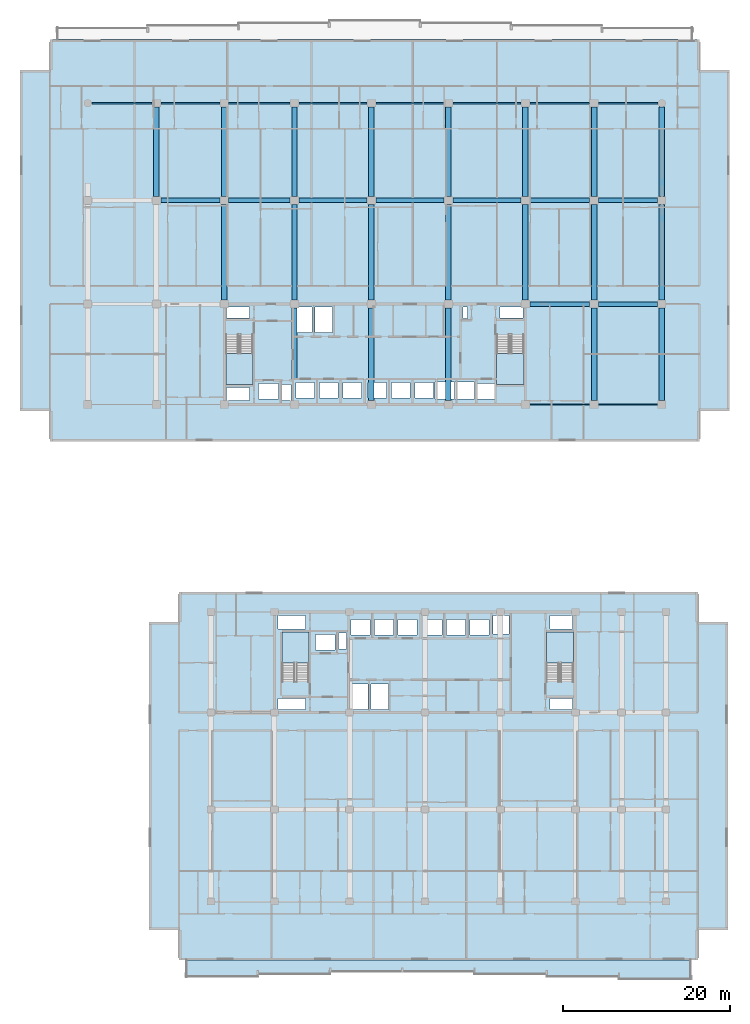
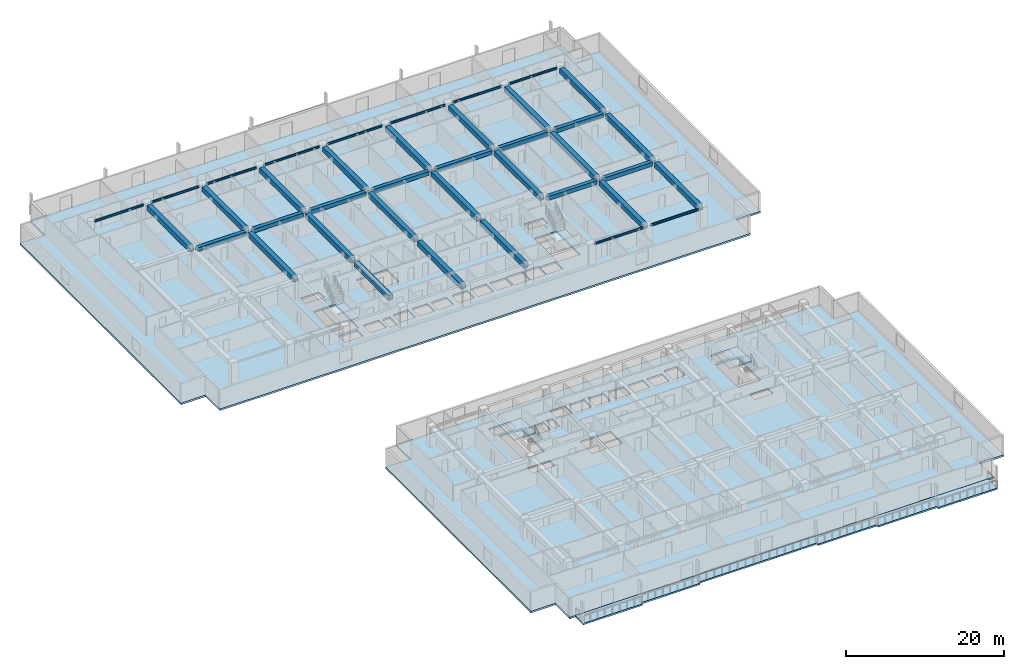
# One storey, part 2 of 23: 39 beams, 7 slabs, 4 elements without a shape of their own.
"""IFC4 building model written with IfcOpenShell, lengths in metres."""

from ifc_helpers import new_model, si_unit, direction, frame, origin, origin_2d, place, context, subcontext, project, spatial, polyline, rectangle, i_section, outline, extrude, material, layer, layer_set, material_profile, profile_set, type_object, element, aggregate, save


model = new_model("IFC4")

# Units and contexts
model_context = context("Model", 3, precision=1e-05, world=origin(), true_north=direction((0.0, 1.0)))
body_context = subcontext(model_context, "Body", "Model", "MODEL_VIEW")
ifc_project = project(units=[si_unit("LENGTHUNIT", "METRE"), si_unit("AREAUNIT", "SQUARE_METRE"), si_unit("VOLUMEUNIT", "CUBIC_METRE"), si_unit("PLANEANGLEUNIT", "RADIAN"), si_unit("MASSUNIT", "GRAM", prefix="KILO")], contexts=[model_context])

# Site, building, storey
site_placement = place(None, origin())
site = spatial("IfcSite", under=ifc_project, at=site_placement, CompositionType="ELEMENT")
building_placement = place(site_placement, origin())
building = spatial("IfcBuilding", under=site, at=building_placement, Name="Korimba Cascade Residences", CompositionType="ELEMENT")
storey_placement = place(building_placement, frame((0.0, 0.0, 30.5)))
storey = spatial("IfcBuildingStorey", under=building, at=storey_placement, Name="L07", CompositionType="ELEMENT", Elevation=30.5)

# Beams
ifc_material_1 = material(Name="Concrete C50/60", Category="concrete")
ifc_material_profile_1 = material_profile(ifc_material_1, rectangle(XDim=0.550048828125, YDim=0.60009765625, at=origin_2d()), Name="Concrete C50/60")
ifc_profile_set_1 = profile_set([ifc_material_profile_1], Name="Concrete C50/60")
beam_type_1 = type_object("IfcBeamType", Name="BM-RC-B600", PredefinedType="BEAM", material=ifc_profile_set_1)
beam_1_placement = place(storey_placement, frame((112.625, 67.199951171875, 2.669921875), z_axis=(1.0, 0.0, 0.0), x_axis=(0.0, 1.0, 0.0)))
element("IfcBeam", 1, at=beam_1_placement, inside=storey, type_object=beam_type_1, Name="L07 T1 E-W Girder Y2 Bay 7", PredefinedType="BEAM", context=body_context, shape_type="SweptSolid", body=[
    extrude(rectangle(XDim=0.550048828125, YDim=0.60009765625, at=origin_2d()), origin(), (0.0, 0.0, 1.0), 7.14990234375),
])
for number, where, z_axis, x_axis, name in (
    (2, (120.824951171875, 67.199951171875, 2.669921875), (1.0, 0.0, 0.0), (0.0, 1.0, 0.0), "L07 T1 E-W Girder Y2 Bay 8"),
    (3, (68.52490234375, 79.60009765625, 2.669921875), (1.0, 0.0, 0.0), (0.0, 1.0, 0.0), "L07 T1 E-W Girder Y3 Bay 2"),
):
    element("IfcBeam", number, at=place(storey_placement, frame(where, z_axis=z_axis, x_axis=x_axis)), inside=storey, type_object=beam_type_1, Name=name, PredefinedType="BEAM", context=body_context, shape_type="SweptSolid", body=[
        extrude(rectangle(XDim=0.550048828125, YDim=0.60009765625, at=origin_2d()), origin(), (0.0, 0.0, 1.0), 7.050048828125),
    ])
beam_2_placement = place(storey_placement, frame((76.625, 79.60009765625, 2.669921875), z_axis=(1.0, 0.0, 0.0), x_axis=(0.0, 1.0, 0.0)))
element("IfcBeam", 4, at=beam_2_placement, inside=storey, type_object=beam_type_1, Name="L07 T1 E-W Girder Y3 Bay 3", PredefinedType="BEAM", context=body_context, shape_type="SweptSolid", body=[
    extrude(rectangle(XDim=0.550048828125, YDim=0.60009765625, at=origin_2d()), origin(), (0.0, 0.0, 1.0), 7.35009765625),
])
beam_3_placement = place(storey_placement, frame((85.02490234375, 79.60009765625, 2.669921875), z_axis=(1.0, 0.0, 0.0), x_axis=(0.0, 1.0, 0.0)))
element("IfcBeam", 5, at=beam_3_placement, inside=storey, type_object=beam_type_1, Name="L07 T1 E-W Girder Y3 Bay 4", PredefinedType="BEAM", context=body_context, shape_type="SweptSolid", body=[
    extrude(rectangle(XDim=0.550048828125, YDim=0.60009765625, at=origin_2d()), origin(), (0.0, 0.0, 1.0), 8.150146484375),
])
for number, where, z_axis, x_axis, name in (
    (6, (94.22509765625, 79.60009765625, 2.669921875), (1.0, 0.0, 0.0), (0.0, 1.0, 0.0), "L07 T1 E-W Girder Y3 Bay 5"),
    (7, (103.425048828125, 79.60009765625, 2.669921875), (1.0, 0.0, 0.0), (0.0, 1.0, 0.0), "L07 T1 E-W Girder Y3 Bay 6"),
):
    element("IfcBeam", number, at=place(storey_placement, frame(where, z_axis=z_axis, x_axis=x_axis)), inside=storey, type_object=beam_type_1, Name=name, PredefinedType="BEAM", context=body_context, shape_type="SweptSolid", body=[
        extrude(rectangle(XDim=0.550048828125, YDim=0.60009765625, at=origin_2d()), origin(), (0.0, 0.0, 1.0), 8.14990234375),
    ])
beam_4_placement = place(storey_placement, frame((112.625, 79.60009765625, 2.669921875), z_axis=(1.0, 0.0, 0.0), x_axis=(0.0, 1.0, 0.0)))
element("IfcBeam", 8, at=beam_4_placement, inside=storey, type_object=beam_type_1, Name="L07 T1 E-W Girder Y3 Bay 7", PredefinedType="BEAM", context=body_context, shape_type="SweptSolid", body=[
    extrude(rectangle(XDim=0.550048828125, YDim=0.60009765625, at=origin_2d()), origin(), (0.0, 0.0, 1.0), 7.14990234375),
])
beam_5_placement = place(storey_placement, frame((120.824951171875, 79.60009765625, 2.669921875), z_axis=(1.0, 0.0, 0.0), x_axis=(0.0, 1.0, 0.0)))
element("IfcBeam", 9, at=beam_5_placement, inside=storey, type_object=beam_type_1, Name="L07 T1 E-W Girder Y3 Bay 8", PredefinedType="BEAM", context=body_context, shape_type="SweptSolid", body=[
    extrude(rectangle(XDim=0.550048828125, YDim=0.60009765625, at=origin_2d()), origin(), (0.0, 0.0, 1.0), 7.050048828125),
])
ifc_material_profile_2 = material_profile(ifc_material_1, rectangle(XDim=0.64990234375, YDim=0.75, at=origin_2d()), Name="Concrete C50/60")
ifc_profile_set_2 = profile_set([ifc_material_profile_2], Name="Concrete C50/60")
beam_type_2 = type_object("IfcBeamType", Name="BM-RC-G750", PredefinedType="BEAM", material=ifc_profile_set_2)
beam_6_placement = place(storey_placement, frame((68.0, 80.074951171875, 2.594970703125), z_axis=(0.0, 1.0, 0.0), x_axis=(-1.0, 0.0, 0.0)))
element("IfcBeam", 10, at=beam_6_placement, inside=storey, type_object=beam_type_2, Name="L07 T1 N-S Girder X2 Seg 3", PredefinedType="BEAM", context=body_context, shape_type="SweptSolid", body=[
    extrude(rectangle(XDim=0.64990234375, YDim=0.75, at=origin_2d()), origin(), (0.0, 0.0, 1.0), 10.650146484375),
])
beam_7_placement = place(storey_placement, frame((76.10009765625, 67.675048828125, 2.594970703125), z_axis=(0.0, 1.0, 0.0), x_axis=(-1.0, 0.0, 0.0)))
element("IfcBeam", 11, at=beam_7_placement, inside=storey, type_object=beam_type_2, Name="L07 T1 N-S Girder X3 Seg 2", PredefinedType="BEAM", context=body_context, shape_type="SweptSolid", body=[
    extrude(rectangle(XDim=0.64990234375, YDim=0.75, at=origin_2d()), origin(), (0.0, 0.0, 1.0), 11.449951171875),
])
beam_8_placement = place(storey_placement, frame((76.10009765625, 80.074951171875, 2.594970703125), z_axis=(0.0, 1.0, 0.0), x_axis=(-1.0, 0.0, 0.0)))
element("IfcBeam", 12, at=beam_8_placement, inside=storey, type_object=beam_type_2, Name="L07 T1 N-S Girder X3 Seg 3", PredefinedType="BEAM", context=body_context, shape_type="SweptSolid", body=[
    extrude(rectangle(XDim=0.64990234375, YDim=0.75, at=origin_2d()), origin(), (0.0, 0.0, 1.0), 10.650146484375),
])
beam_9_placement = place(storey_placement, frame((84.5, 58.159912109375, 2.594970703125), z_axis=(0.0, 1.0, 0.0), x_axis=(-1.0, 0.0, 0.0)))
element("IfcBeam", 13, at=beam_9_placement, inside=storey, type_object=beam_type_2, Name="L07 T1 N-S Girder X4 Seg 1", PredefinedType="BEAM", context=body_context, shape_type="SweptSolid", body=[
    extrude(rectangle(XDim=0.64990234375, YDim=0.75, at=origin_2d()), origin(), (0.0, 0.0, 1.0), 8.565185546875),
])
beam_10_placement = place(storey_placement, frame((84.5, 67.675048828125, 2.594970703125), z_axis=(0.0, 1.0, 0.0), x_axis=(-1.0, 0.0, 0.0)))
element("IfcBeam", 14, at=beam_10_placement, inside=storey, type_object=beam_type_2, Name="L07 T1 N-S Girder X4 Seg 2", PredefinedType="BEAM", context=body_context, shape_type="SweptSolid", body=[
    extrude(rectangle(XDim=0.64990234375, YDim=0.75, at=origin_2d()), origin(), (0.0, 0.0, 1.0), 11.449951171875),
])
beam_11_placement = place(storey_placement, frame((84.5, 80.074951171875, 2.594970703125), z_axis=(0.0, 1.0, 0.0), x_axis=(-1.0, 0.0, 0.0)))
element("IfcBeam", 15, at=beam_11_placement, inside=storey, type_object=beam_type_2, Name="L07 T1 N-S Girder X4 Seg 3", PredefinedType="BEAM", context=body_context, shape_type="SweptSolid", body=[
    extrude(rectangle(XDim=0.64990234375, YDim=0.75, at=origin_2d()), origin(), (0.0, 0.0, 1.0), 10.650146484375),
])
beam_12_placement = place(storey_placement, frame((93.699951171875, 55.675048828125, 2.594970703125), z_axis=(0.0, 1.0, 0.0), x_axis=(-1.0, 0.0, 0.0)))
element("IfcBeam", 16, at=beam_12_placement, inside=storey, type_object=beam_type_2, Name="L07 T1 N-S Girder X5 Seg 1", PredefinedType="BEAM", context=body_context, shape_type="SweptSolid", body=[
    extrude(rectangle(XDim=0.64990234375, YDim=0.75, at=origin_2d()), origin(), (0.0, 0.0, 1.0), 11.050048828125),
])
beam_13_placement = place(storey_placement, frame((93.699951171875, 67.675048828125, 2.594970703125), z_axis=(0.0, 1.0, 0.0), x_axis=(-1.0, 0.0, 0.0)))
element("IfcBeam", 17, at=beam_13_placement, inside=storey, type_object=beam_type_2, Name="L07 T1 N-S Girder X5 Seg 2", PredefinedType="BEAM", context=body_context, shape_type="SweptSolid", body=[
    extrude(rectangle(XDim=0.64990234375, YDim=0.75, at=origin_2d()), origin(), (0.0, 0.0, 1.0), 11.449951171875),
])
beam_14_placement = place(storey_placement, frame((93.699951171875, 80.074951171875, 2.594970703125), z_axis=(0.0, 1.0, 0.0), x_axis=(-1.0, 0.0, 0.0)))
element("IfcBeam", 18, at=beam_14_placement, inside=storey, type_object=beam_type_2, Name="L07 T1 N-S Girder X5 Seg 3", PredefinedType="BEAM", context=body_context, shape_type="SweptSolid", body=[
    extrude(rectangle(XDim=0.64990234375, YDim=0.75, at=origin_2d()), origin(), (0.0, 0.0, 1.0), 10.650146484375),
])
beam_15_placement = place(storey_placement, frame((102.89990234375, 55.675048828125, 2.594970703125), z_axis=(0.0, 1.0, 0.0), x_axis=(-1.0, 0.0, 0.0)))
element("IfcBeam", 19, at=beam_15_placement, inside=storey, type_object=beam_type_2, Name="L07 T1 N-S Girder X6 Seg 1", PredefinedType="BEAM", context=body_context, shape_type="SweptSolid", body=[
    extrude(rectangle(XDim=0.64990234375, YDim=0.75, at=origin_2d()), origin(), (0.0, 0.0, 1.0), 11.050048828125),
])
beam_16_placement = place(storey_placement, frame((102.89990234375, 67.675048828125, 2.594970703125), z_axis=(0.0, 1.0, 0.0), x_axis=(-1.0, 0.0, 0.0)))
element("IfcBeam", 20, at=beam_16_placement, inside=storey, type_object=beam_type_2, Name="L07 T1 N-S Girder X6 Seg 2", PredefinedType="BEAM", context=body_context, shape_type="SweptSolid", body=[
    extrude(rectangle(XDim=0.64990234375, YDim=0.75, at=origin_2d()), origin(), (0.0, 0.0, 1.0), 11.449951171875),
])
beam_17_placement = place(storey_placement, frame((102.89990234375, 80.074951171875, 2.594970703125), z_axis=(0.0, 1.0, 0.0), x_axis=(-1.0, 0.0, 0.0)))
element("IfcBeam", 21, at=beam_17_placement, inside=storey, type_object=beam_type_2, Name="L07 T1 N-S Girder X6 Seg 3", PredefinedType="BEAM", context=body_context, shape_type="SweptSolid", body=[
    extrude(rectangle(XDim=0.64990234375, YDim=0.75, at=origin_2d()), origin(), (0.0, 0.0, 1.0), 10.650146484375),
])
beam_18_placement = place(storey_placement, frame((112.10009765625, 67.675048828125, 2.594970703125), z_axis=(0.0, 1.0, 0.0), x_axis=(-1.0, 0.0, 0.0)))
element("IfcBeam", 22, at=beam_18_placement, inside=storey, type_object=beam_type_2, Name="L07 T1 N-S Girder X7 Seg 2", PredefinedType="BEAM", context=body_context, shape_type="SweptSolid", body=[
    extrude(rectangle(XDim=0.64990234375, YDim=0.75, at=origin_2d()), origin(), (0.0, 0.0, 1.0), 11.449951171875),
])
beam_19_placement = place(storey_placement, frame((112.10009765625, 80.074951171875, 2.594970703125), z_axis=(0.0, 1.0, 0.0), x_axis=(-1.0, 0.0, 0.0)))
element("IfcBeam", 23, at=beam_19_placement, inside=storey, type_object=beam_type_2, Name="L07 T1 N-S Girder X7 Seg 3", PredefinedType="BEAM", context=body_context, shape_type="SweptSolid", body=[
    extrude(rectangle(XDim=0.64990234375, YDim=0.75, at=origin_2d()), origin(), (0.0, 0.0, 1.0), 10.650146484375),
])
beam_20_placement = place(storey_placement, frame((120.300048828125, 55.675048828125, 2.594970703125), z_axis=(0.0, 1.0, 0.0), x_axis=(-1.0, 0.0, 0.0)))
element("IfcBeam", 24, at=beam_20_placement, inside=storey, type_object=beam_type_2, Name="L07 T1 N-S Girder X8 Seg 1", PredefinedType="BEAM", context=body_context, shape_type="SweptSolid", body=[
    extrude(rectangle(XDim=0.64990234375, YDim=0.75, at=origin_2d()), origin(), (0.0, 0.0, 1.0), 11.050048828125),
])
beam_21_placement = place(storey_placement, frame((120.300048828125, 67.675048828125, 2.594970703125), z_axis=(0.0, 1.0, 0.0), x_axis=(-1.0, 0.0, 0.0)))
element("IfcBeam", 25, at=beam_21_placement, inside=storey, type_object=beam_type_2, Name="L07 T1 N-S Girder X8 Seg 2", PredefinedType="BEAM", context=body_context, shape_type="SweptSolid", body=[
    extrude(rectangle(XDim=0.64990234375, YDim=0.75, at=origin_2d()), origin(), (0.0, 0.0, 1.0), 11.449951171875),
])
beam_22_placement = place(storey_placement, frame((120.300048828125, 80.074951171875, 2.594970703125), z_axis=(0.0, 1.0, 0.0), x_axis=(-1.0, 0.0, 0.0)))
element("IfcBeam", 26, at=beam_22_placement, inside=storey, type_object=beam_type_2, Name="L07 T1 N-S Girder X8 Seg 3", PredefinedType="BEAM", context=body_context, shape_type="SweptSolid", body=[
    extrude(rectangle(XDim=0.64990234375, YDim=0.75, at=origin_2d()), origin(), (0.0, 0.0, 1.0), 10.650146484375),
])
beam_23_placement = place(storey_placement, frame((128.39990234375, 55.675048828125, 2.594970703125), z_axis=(0.0, 1.0, 0.0), x_axis=(-1.0, 0.0, 0.0)))
element("IfcBeam", 27, at=beam_23_placement, inside=storey, type_object=beam_type_2, Name="L07 T1 N-S Girder X9 Seg 1", PredefinedType="BEAM", context=body_context, shape_type="SweptSolid", body=[
    extrude(rectangle(XDim=0.64990234375, YDim=0.75, at=origin_2d()), origin(), (0.0, 0.0, 1.0), 11.050048828125),
])
beam_24_placement = place(storey_placement, frame((128.39990234375, 67.675048828125, 2.594970703125), z_axis=(0.0, 1.0, 0.0), x_axis=(-1.0, 0.0, 0.0)))
element("IfcBeam", 28, at=beam_24_placement, inside=storey, type_object=beam_type_2, Name="L07 T1 N-S Girder X9 Seg 2", PredefinedType="BEAM", context=body_context, shape_type="SweptSolid", body=[
    extrude(rectangle(XDim=0.64990234375, YDim=0.75, at=origin_2d()), origin(), (0.0, 0.0, 1.0), 11.449951171875),
])
beam_25_placement = place(storey_placement, frame((128.39990234375, 80.074951171875, 2.594970703125), z_axis=(0.0, 1.0, 0.0), x_axis=(-1.0, 0.0, 0.0)))
element("IfcBeam", 29, at=beam_25_placement, inside=storey, type_object=beam_type_2, Name="L07 T1 N-S Girder X9 Seg 3", PredefinedType="BEAM", context=body_context, shape_type="SweptSolid", body=[
    extrude(rectangle(XDim=0.64990234375, YDim=0.75, at=origin_2d()), origin(), (0.0, 0.0, 1.0), 10.650146484375),
])
ifc_material_2 = material(Name="Steel S355", Category="steel")
ifc_material_profile_3 = material_profile(ifc_material_2, i_section(OverallWidth=0.165771484375, OverallDepth=0.306640625, WebThickness=0.006591796875, FlangeThickness=0.01171875, FilletRadius=0.0087890625, at=origin_2d()), Name="Steel S355")
ifc_profile_set_3 = profile_set([ifc_material_profile_3], Name="Steel S355")
beam_type_3 = type_object("IfcBeamType", Name="BM-STL-UB305", PredefinedType="SPANDREL", material=ifc_profile_set_3)
beam_26_placement = place(storey_placement, frame((112.625, 55.199951171875, 2.816650390625), z_axis=(1.0, 0.0, 0.0), x_axis=(0.0, 1.0, 0.0)))
element("IfcBeam", 30, at=beam_26_placement, inside=storey, type_object=beam_type_3, Name="L07 T1 E-W Girder Y1 Bay 7", PredefinedType="SPANDREL", context=body_context, shape_type="SweptSolid", body=[
    extrude(i_section(OverallWidth=0.165771484375, OverallDepth=0.306640625, WebThickness=0.006591796875, FlangeThickness=0.01171875, FilletRadius=0.0087890625, at=origin_2d()), origin(), (0.0, 0.0, 1.0), 7.14990234375),
])
beam_27_placement = place(storey_placement, frame((120.824951171875, 55.199951171875, 2.816650390625), z_axis=(1.0, 0.0, 0.0), x_axis=(0.0, 1.0, 0.0)))
element("IfcBeam", 31, at=beam_27_placement, inside=storey, type_object=beam_type_3, Name="L07 T1 E-W Girder Y1 Bay 8", PredefinedType="SPANDREL", context=body_context, shape_type="SweptSolid", body=[
    extrude(i_section(OverallWidth=0.165771484375, OverallDepth=0.306640625, WebThickness=0.006591796875, FlangeThickness=0.01171875, FilletRadius=0.0087890625, at=origin_2d()), origin(), (0.0, 0.0, 1.0), 7.050048828125),
])
beam_28_placement = place(storey_placement, frame((60.27490234375, 91.199951171875, 2.816650390625), z_axis=(1.0, 0.0, 0.0), x_axis=(0.0, 1.0, 0.0)))
element("IfcBeam", 32, at=beam_28_placement, inside=storey, type_object=beam_type_3, Name="L07 T1 E-W Girder Y4 Bay 1", PredefinedType="SPANDREL", context=body_context, shape_type="SweptSolid", body=[
    extrude(i_section(OverallWidth=0.165771484375, OverallDepth=0.306640625, WebThickness=0.006591796875, FlangeThickness=0.01171875, FilletRadius=0.0087890625, at=origin_2d()), origin(), (0.0, 0.0, 1.0), 7.2001953125),
])
beam_29_placement = place(storey_placement, frame((68.52490234375, 91.199951171875, 2.816650390625), z_axis=(1.0, 0.0, 0.0), x_axis=(0.0, 1.0, 0.0)))
element("IfcBeam", 33, at=beam_29_placement, inside=storey, type_object=beam_type_3, Name="L07 T1 E-W Girder Y4 Bay 2", PredefinedType="SPANDREL", context=body_context, shape_type="SweptSolid", body=[
    extrude(i_section(OverallWidth=0.165771484375, OverallDepth=0.306640625, WebThickness=0.006591796875, FlangeThickness=0.01171875, FilletRadius=0.0087890625, at=origin_2d()), origin(), (0.0, 0.0, 1.0), 7.050048828125),
])
beam_30_placement = place(storey_placement, frame((76.625, 91.199951171875, 2.816650390625), z_axis=(1.0, 0.0, 0.0), x_axis=(0.0, 1.0, 0.0)))
element("IfcBeam", 34, at=beam_30_placement, inside=storey, type_object=beam_type_3, Name="L07 T1 E-W Girder Y4 Bay 3", PredefinedType="SPANDREL", context=body_context, shape_type="SweptSolid", body=[
    extrude(i_section(OverallWidth=0.165771484375, OverallDepth=0.306640625, WebThickness=0.006591796875, FlangeThickness=0.01171875, FilletRadius=0.0087890625, at=origin_2d()), origin(), (0.0, 0.0, 1.0), 7.35009765625),
])
beam_31_placement = place(storey_placement, frame((85.02490234375, 91.199951171875, 2.816650390625), z_axis=(1.0, 0.0, 0.0), x_axis=(0.0, 1.0, 0.0)))
element("IfcBeam", 35, at=beam_31_placement, inside=storey, type_object=beam_type_3, Name="L07 T1 E-W Girder Y4 Bay 4", PredefinedType="SPANDREL", context=body_context, shape_type="SweptSolid", body=[
    extrude(i_section(OverallWidth=0.165771484375, OverallDepth=0.306640625, WebThickness=0.006591796875, FlangeThickness=0.01171875, FilletRadius=0.0087890625, at=origin_2d()), origin(), (0.0, 0.0, 1.0), 8.150146484375),
])
for number, where, z_axis, x_axis, name in (
    (36, (94.22509765625, 91.199951171875, 2.816650390625), (1.0, 0.0, 0.0), (0.0, 1.0, 0.0), "L07 T1 E-W Girder Y4 Bay 5"),
    (37, (103.425048828125, 91.199951171875, 2.816650390625), (1.0, 0.0, 0.0), (0.0, 1.0, 0.0), "L07 T1 E-W Girder Y4 Bay 6"),
):
    element("IfcBeam", number, at=place(storey_placement, frame(where, z_axis=z_axis, x_axis=x_axis)), inside=storey, type_object=beam_type_3, Name=name, PredefinedType="SPANDREL", context=body_context, shape_type="SweptSolid", body=[
        extrude(i_section(OverallWidth=0.165771484375, OverallDepth=0.306640625, WebThickness=0.006591796875, FlangeThickness=0.01171875, FilletRadius=0.0087890625, at=origin_2d()), origin(), (0.0, 0.0, 1.0), 8.14990234375),
    ])
beam_32_placement = place(storey_placement, frame((112.625, 91.199951171875, 2.816650390625), z_axis=(1.0, 0.0, 0.0), x_axis=(0.0, 1.0, 0.0)))
element("IfcBeam", 38, at=beam_32_placement, inside=storey, type_object=beam_type_3, Name="L07 T1 E-W Girder Y4 Bay 7", PredefinedType="SPANDREL", context=body_context, shape_type="SweptSolid", body=[
    extrude(i_section(OverallWidth=0.165771484375, OverallDepth=0.306640625, WebThickness=0.006591796875, FlangeThickness=0.01171875, FilletRadius=0.0087890625, at=origin_2d()), origin(), (0.0, 0.0, 1.0), 7.14990234375),
])
beam_33_placement = place(storey_placement, frame((120.824951171875, 91.199951171875, 2.816650390625), z_axis=(1.0, 0.0, 0.0), x_axis=(0.0, 1.0, 0.0)))
element("IfcBeam", 39, at=beam_33_placement, inside=storey, type_object=beam_type_3, Name="L07 T1 E-W Girder Y4 Bay 8", PredefinedType="SPANDREL", context=body_context, shape_type="SweptSolid", body=[
    extrude(i_section(OverallWidth=0.165771484375, OverallDepth=0.306640625, WebThickness=0.006591796875, FlangeThickness=0.01171875, FilletRadius=0.0087890625, at=origin_2d()), origin(), (0.0, 0.0, 1.0), 7.10009765625),
])

# Stair, slab
stair_type_1 = type_object("IfcStairType", Name="STR-W1-18R-1806", PredefinedType="HALF_TURN_STAIR", material=ifc_material_1)
stair_1_placement = place(storey_placement, origin())
stair_1 = element("IfcStair", 40, at=stair_1_placement, inside=storey, type_object=stair_type_1, Name="L07 Tower 1 West Fire Stair ST-W1", PredefinedType="HALF_TURN_STAIR")
ifc_layer_1 = layer(ifc_material_1, 0.199951171875)
ifc_layer_set_1 = layer_set([ifc_layer_1], Name="Concrete C50/60")
slab_type_1 = type_object("IfcSlabType", Name="SLB-LND-220", PredefinedType="LANDING", material=ifc_layer_set_1)
slab_1_placement = place(storey_placement, frame((0.0, 0.0, 1.425048828125)))
slab_1 = element("IfcSlab", 41, at=slab_1_placement, type_object=slab_type_1, Name="ST-W1 landing 1", PredefinedType="LANDING", context=body_context, shape_type="SweptSolid", body=[
    extrude(outline(polyline([(76.300048828125, 61.31005859375), (76.300048828125, 57.60009765625), (79.5400390625, 57.60009765625), (79.5400390625, 61.31005859375), (76.300048828125, 61.31005859375)])), origin(), (0.0, 0.0, 1.0), 0.199951171875),
])
aggregate(stair_1, [slab_1])

stair_type_2 = type_object("IfcStairType", Name="STR-W2-18R-1806", PredefinedType="HALF_TURN_STAIR", material=ifc_material_1)
stair_2_placement = place(storey_placement, origin())
stair_2 = element("IfcStair", 42, at=stair_2_placement, inside=storey, type_object=stair_type_2, Name="L07 Tower 1 East Fire Stair ST-W2", PredefinedType="HALF_TURN_STAIR")
slab_2_placement = place(storey_placement, frame((0.0, 0.0, 1.425048828125)))
slab_2 = element("IfcSlab", 43, at=slab_2_placement, type_object=slab_type_1, Name="ST-W2 landing 1", PredefinedType="LANDING", context=body_context, shape_type="SweptSolid", body=[
    extrude(outline(polyline([(108.659912109375, 61.31005859375), (108.659912109375, 57.60009765625), (111.89990234375, 57.60009765625), (111.89990234375, 61.31005859375), (108.659912109375, 61.31005859375)])), origin(), (0.0, 0.0, 1.0), 0.199951171875),
])
aggregate(stair_2, [slab_2])

stair_type_3 = type_object("IfcStairType", Name="STR-E1-18R-1806", PredefinedType="HALF_TURN_STAIR", material=ifc_material_1)
stair_3_placement = place(storey_placement, origin())
stair_3 = element("IfcStair", 44, at=stair_3_placement, inside=storey, type_object=stair_type_3, Name="L07 Tower 2 West Fire Stair ST-E1", PredefinedType="HALF_TURN_STAIR")
slab_3_placement = place(storey_placement, frame((0.0, 0.0, 1.425048828125)))
slab_3 = element("IfcSlab", 45, at=slab_3_placement, type_object=slab_type_1, Name="ST-E1 landing 1", PredefinedType="LANDING", context=body_context, shape_type="SweptSolid", body=[
    extrude(outline(polyline([(86.239990234375, 24.2900390625), (86.239990234375, 28.0), (83.0, 28.0), (83.0, 24.2900390625), (86.239990234375, 24.2900390625)])), origin(), (0.0, 0.0, 1.0), 0.199951171875),
])
aggregate(stair_3, [slab_3])

stair_type_4 = type_object("IfcStairType", Name="STR-E2-18R-1806", PredefinedType="HALF_TURN_STAIR", material=ifc_material_1)
stair_4_placement = place(storey_placement, origin())
stair_4 = element("IfcStair", 46, at=stair_4_placement, inside=storey, type_object=stair_type_4, Name="L07 Tower 2 East Fire Stair ST-E2", PredefinedType="HALF_TURN_STAIR")
slab_4_placement = place(storey_placement, frame((0.0, 0.0, 1.425048828125)))
slab_4 = element("IfcSlab", 47, at=slab_4_placement, type_object=slab_type_1, Name="ST-E2 landing 1", PredefinedType="LANDING", context=body_context, shape_type="SweptSolid", body=[
    extrude(outline(polyline([(117.840087890625, 24.2900390625), (117.840087890625, 28.0), (114.60009765625, 28.0), (114.60009765625, 24.2900390625), (117.840087890625, 24.2900390625)])), origin(), (0.0, 0.0, 1.0), 0.199951171875),
])
aggregate(stair_4, [slab_4])

# Slabs
ifc_material_3 = material(Name="Precast concrete C40/50", Category="concrete")
ifc_layer_2 = layer(ifc_material_3, 0.239990234375)
ifc_layer_set_2 = layer_set([ifc_layer_2], Name="Precast concrete C40/50")
slab_type_2 = type_object("IfcSlabType", Name="SLB-LOG-240", PredefinedType="FLOOR", material=ifc_layer_set_2)
slab_5_placement = place(storey_placement, frame((0.0, 0.0, -0.239990234375)))
element("IfcSlab", 48, at=slab_5_placement, inside=storey, type_object=slab_type_2, Name="L07 Tower 2 South Loggia Slab", PredefinedType="FLOOR", context=body_context, shape_type="SweptSolid", body=[
    extrude(outline(polyline([(71.5, -13.25), (80.128662109375, -13.25), (80.128662109375, -12.949951171875), (88.757080078125, -12.949951171875), (88.757080078125, -12.64990234375), (106.014404296875, -12.64990234375), (106.014404296875, -12.949951171875), (114.642822265625, -12.949951171875), (114.642822265625, -13.25), (123.271484375, -13.25), (123.271484375, -13.550048828125), (131.89990234375, -13.550048828125), (131.89990234375, -11.199951171875), (71.5, -11.199951171875), (71.5, -13.25)])), origin(), (0.0, 0.0, 1.0), 0.239990234375),
])
ifc_layer_3 = layer(ifc_material_1, 0.280029296875)
ifc_layer_set_3 = layer_set([ifc_layer_3], Name="Concrete C50/60")
slab_type_3 = type_object("IfcSlabType", Name="SLB-TYP-280", PredefinedType="FLOOR", material=ifc_layer_set_3)
slab_6_placement = place(storey_placement, frame((0.0, 0.0, -0.280029296875)))
element("IfcSlab", 49, at=slab_6_placement, inside=storey, type_object=slab_type_3, Name="L07 Tower 1 Floor Slab", PredefinedType="FLOOR", context=body_context, shape_type="SweptSolid", body=[
    extrude(outline(polyline([(55.300048828125, 50.800048828125), (132.89990234375, 50.800048828125), (132.89990234375, 54.39990234375), (136.5, 54.39990234375), (136.5, 95.199951171875), (132.89990234375, 95.199951171875), (132.89990234375, 98.800048828125), (55.300048828125, 98.800048828125), (55.300048828125, 95.199951171875), (51.699951171875, 95.199951171875), (51.699951171875, 54.39990234375), (55.300048828125, 54.39990234375), (55.300048828125, 50.800048828125)]), holes=[polyline([(76.300048828125, 63.514892578125), (76.300048828125, 57.60009765625), (79.5400390625, 57.60009765625), (79.5400390625, 63.514892578125), (76.300048828125, 63.514892578125)]), polyline([(108.659912109375, 63.514892578125), (108.659912109375, 57.60009765625), (111.89990234375, 57.60009765625), (111.89990234375, 63.514892578125), (108.659912109375, 63.514892578125)]), polyline([(80.22998046875, 55.8798828125), (82.570068359375, 55.8798828125), (82.570068359375, 57.719970703125), (80.22998046875, 57.719970703125), (80.22998046875, 55.8798828125)]), polyline([(106.080078125, 55.8798828125), (108.419921875, 55.8798828125), (108.419921875, 57.719970703125), (106.080078125, 57.719970703125), (106.080078125, 55.8798828125)]), polyline([(84.679931640625, 55.97998046875), (86.919921875, 55.97998046875), (86.919921875, 57.820068359375), (84.679931640625, 57.820068359375), (84.679931640625, 55.97998046875)]), polyline([(87.47998046875, 55.97998046875), (89.719970703125, 55.97998046875), (89.719970703125, 57.820068359375), (87.47998046875, 57.820068359375), (87.47998046875, 55.97998046875)]), polyline([(90.280029296875, 55.97998046875), (92.52001953125, 55.97998046875), (92.52001953125, 57.820068359375), (90.280029296875, 57.820068359375), (90.280029296875, 55.97998046875)]), polyline([(93.280029296875, 55.97998046875), (95.52001953125, 55.97998046875), (95.52001953125, 57.820068359375), (93.280029296875, 57.820068359375), (93.280029296875, 55.97998046875)]), polyline([(96.080078125, 55.97998046875), (98.320068359375, 55.97998046875), (98.320068359375, 57.820068359375), (96.080078125, 57.820068359375), (96.080078125, 55.97998046875)]), polyline([(98.8798828125, 55.97998046875), (101.1201171875, 55.97998046875), (101.1201171875, 57.820068359375), (98.8798828125, 57.820068359375), (98.8798828125, 55.97998046875)]), polyline([(101.304931640625, 55.8798828125), (103.594970703125, 55.8798828125), (103.594970703125, 57.919921875), (101.304931640625, 57.919921875), (101.304931640625, 55.8798828125)]), polyline([(103.705078125, 55.8798828125), (105.9951171875, 55.8798828125), (105.9951171875, 57.919921875), (103.705078125, 57.919921875), (103.705078125, 55.8798828125)]), polyline([(82.97998046875, 55.679931640625), (84.080078125, 55.679931640625), (84.080078125, 57.6201171875), (82.97998046875, 57.6201171875), (82.97998046875, 55.679931640625)]), polyline([(76.39990234375, 65.56005859375), (79.10009765625, 65.56005859375), (79.10009765625, 66.8798828125), (76.39990234375, 66.8798828125), (76.39990234375, 65.56005859375)]), polyline([(76.39990234375, 55.679931640625), (79.10009765625, 55.679931640625), (79.10009765625, 57.239990234375), (76.39990234375, 57.239990234375), (76.39990234375, 55.679931640625)]), polyline([(84.530029296875, 63.820068359375), (86.6201171875, 63.820068359375), (86.6201171875, 66.8798828125), (84.530029296875, 66.8798828125), (84.530029296875, 63.820068359375)]), polyline([(86.97998046875, 63.820068359375), (89.070068359375, 63.820068359375), (89.070068359375, 66.8798828125), (86.97998046875, 66.8798828125), (86.97998046875, 63.820068359375)]), polyline([(104.6201171875, 65.4599609375), (105.179931640625, 65.4599609375), (105.179931640625, 66.8798828125), (104.6201171875, 66.8798828125), (104.6201171875, 65.4599609375)]), polyline([(109.080078125, 65.56005859375), (111.800048828125, 65.56005859375), (111.800048828125, 66.8798828125), (109.080078125, 66.8798828125), (109.080078125, 65.56005859375)])]), origin(), (0.0, 0.0, 1.0), 0.280029296875),
])
slab_7_placement = place(storey_placement, frame((0.0, 0.0, -0.280029296875)))
element("IfcSlab", 50, at=slab_7_placement, inside=storey, type_object=slab_type_3, Name="L07 Tower 2 Floor Slab", PredefinedType="FLOOR", context=body_context, shape_type="SweptSolid", body=[
    extrude(outline(polyline([(70.699951171875, -11.199951171875), (132.699951171875, -11.199951171875), (132.699951171875, -7.60009765625), (136.300048828125, -7.60009765625), (136.300048828125, 29.199951171875), (132.699951171875, 29.199951171875), (132.699951171875, 32.800048828125), (70.699951171875, 32.800048828125), (70.699951171875, 29.199951171875), (67.10009765625, 29.199951171875), (67.10009765625, -7.60009765625), (70.699951171875, -7.60009765625), (70.699951171875, -11.199951171875)]), holes=[polyline([(86.239990234375, 22.0849609375), (86.239990234375, 28.0), (83.0, 28.0), (83.0, 22.0849609375), (86.239990234375, 22.0849609375)]), polyline([(117.840087890625, 22.0849609375), (117.840087890625, 28.0), (114.60009765625, 28.0), (114.60009765625, 22.0849609375), (117.840087890625, 22.0849609375)]), polyline([(87.030029296875, 25.8798828125), (89.3701171875, 25.8798828125), (89.3701171875, 27.719970703125), (87.030029296875, 27.719970703125), (87.030029296875, 25.8798828125)]), polyline([(91.280029296875, 27.679931640625), (93.52001953125, 27.679931640625), (93.52001953125, 29.52001953125), (91.280029296875, 29.52001953125), (91.280029296875, 27.679931640625)]), polyline([(94.080078125, 27.679931640625), (96.320068359375, 27.679931640625), (96.320068359375, 29.52001953125), (94.080078125, 29.52001953125), (94.080078125, 27.679931640625)]), polyline([(96.8798828125, 27.679931640625), (99.1201171875, 27.679931640625), (99.1201171875, 29.52001953125), (96.8798828125, 29.52001953125), (96.8798828125, 27.679931640625)]), polyline([(99.8798828125, 27.679931640625), (102.1201171875, 27.679931640625), (102.1201171875, 29.52001953125), (99.8798828125, 29.52001953125), (99.8798828125, 27.679931640625)]), polyline([(102.679931640625, 27.679931640625), (104.919921875, 27.679931640625), (104.919921875, 29.52001953125), (102.679931640625, 29.52001953125), (102.679931640625, 27.679931640625)]), polyline([(105.47998046875, 27.679931640625), (107.719970703125, 27.679931640625), (107.719970703125, 29.52001953125), (105.47998046875, 29.52001953125), (105.47998046875, 27.679931640625)]), polyline([(89.780029296875, 25.97998046875), (90.719970703125, 25.97998046875), (90.719970703125, 27.919921875), (89.780029296875, 27.919921875), (89.780029296875, 25.97998046875)]), polyline([(82.530029296875, 18.72998046875), (85.800048828125, 18.72998046875), (85.800048828125, 20.0400390625), (82.530029296875, 20.0400390625), (82.530029296875, 18.72998046875)]), polyline([(82.530029296875, 28.360107421875), (85.800048828125, 28.360107421875), (85.800048828125, 29.969970703125), (82.530029296875, 29.969970703125), (82.530029296875, 28.360107421875)]), polyline([(108.22998046875, 27.780029296875), (110.1201171875, 27.780029296875), (110.1201171875, 29.969970703125), (108.22998046875, 29.969970703125), (108.22998046875, 27.780029296875)]), polyline([(91.22998046875, 18.72998046875), (93.27001953125, 18.72998046875), (93.27001953125, 21.780029296875), (91.22998046875, 21.780029296875), (91.22998046875, 18.72998046875)]), polyline([(93.6298828125, 18.72998046875), (95.719970703125, 18.72998046875), (95.719970703125, 21.780029296875), (93.6298828125, 21.780029296875), (93.6298828125, 18.72998046875)]), polyline([(115.02001953125, 18.72998046875), (117.739990234375, 18.72998046875), (117.739990234375, 20.0400390625), (115.02001953125, 20.0400390625), (115.02001953125, 18.72998046875)]), polyline([(115.02001953125, 28.360107421875), (117.739990234375, 28.360107421875), (117.739990234375, 29.969970703125), (115.02001953125, 29.969970703125), (115.02001953125, 28.360107421875)])]), origin(), (0.0, 0.0, 1.0), 0.280029296875),
])

save(model, "model.ifc")
